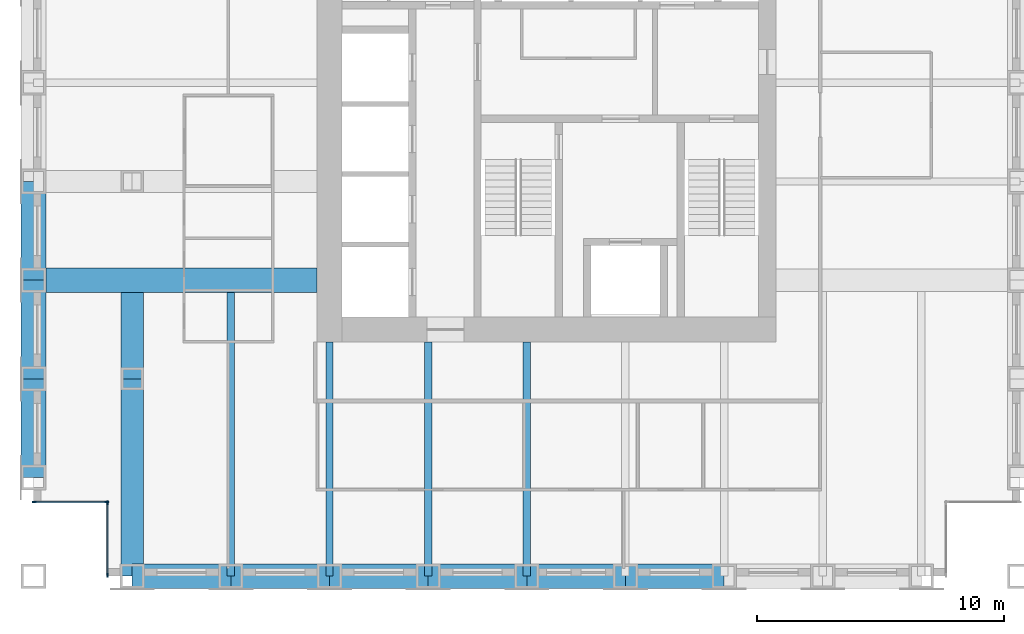
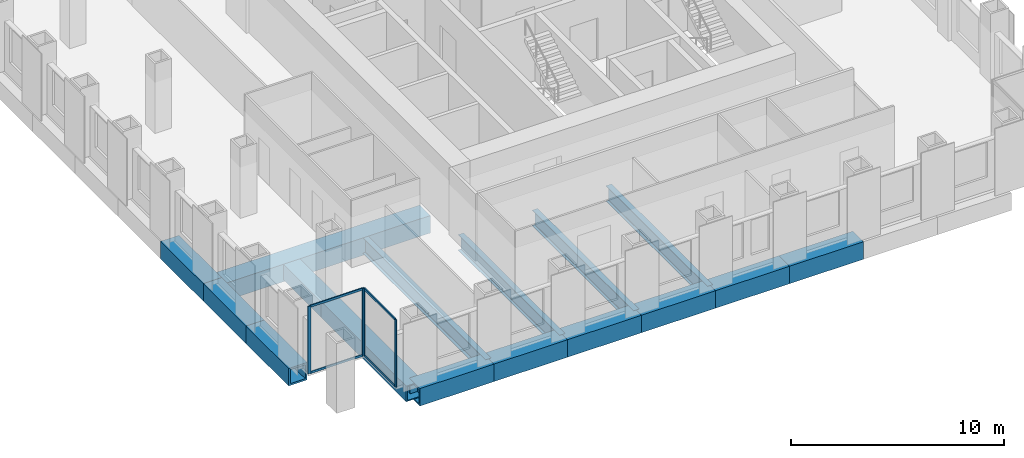
# One storey, part 2 of 13: 16 beams, 8 members, 2 elements without a shape of their own.
"""IFC4 building model written with IfcOpenShell, lengths in metres."""

from ifc_helpers import new_model, si_unit, direction, frame, origin, origin_2d, place, context, subcontext, project, spatial, rectangle, hollow_rectangle, i_section, extrude, material, material_profile, profile_set, type_object, element, aggregate, save


model = new_model("IFC4")

# Units and contexts
model_context = context("Model", 3, precision=1e-05, world=origin(), true_north=direction((0.0, 1.0)))
body_context = subcontext(model_context, "Body", "Model", "MODEL_VIEW")
ifc_project = project(units=[si_unit("LENGTHUNIT", "METRE"), si_unit("AREAUNIT", "SQUARE_METRE"), si_unit("VOLUMEUNIT", "CUBIC_METRE"), si_unit("PLANEANGLEUNIT", "RADIAN"), si_unit("MASSUNIT", "GRAM", prefix="KILO")], contexts=[model_context])

# Site, building, storey
site_placement = place(None, origin())
site = spatial("IfcSite", under=ifc_project, at=site_placement, CompositionType="ELEMENT")
building_placement = place(site_placement, origin())
building = spatial("IfcBuilding", under=site, at=building_placement, Name="Rimbunsela Tower", CompositionType="ELEMENT")
storey_placement = place(building_placement, frame((0.0, 0.0, 191.800048828125)))
storey = spatial("IfcBuildingStorey", under=building, at=storey_placement, Name="L46", CompositionType="ELEMENT", Elevation=191.800048828125)

# Beams
ifc_material_1 = material(Name="Steel BJ 55 (fy 410 MPa)", Category="steel")
ifc_material_profile_1 = material_profile(ifc_material_1, hollow_rectangle(XDim=1.0, YDim=1.0, WallThickness=0.10009765625, at=origin_2d()), Name="BOX 1000x1000x100")
ifc_profile_set_1 = profile_set([ifc_material_profile_1], Name="Steel BJ 55 (fy 410 MPa)")
beam_type_1 = type_object("IfcBeamType", Name="Beam BOX 1000x1000x100", PredefinedType="BEAM", material=ifc_profile_set_1)
for number, where, z_axis, x_axis, name in (
    (1, (6.0, 12.0, -0.650146484375), (0.0, 1.0, 0.0), (-1.0, 0.0, 0.0), "Beam B3 L46"),
    (2, (6.0, 16.0, -0.650146484375), (0.0, 1.0, 0.0), (-1.0, 0.0, 0.0), "Beam B3 L46"),
    (3, (6.0, 20.0, -0.650146484375), (0.0, 1.0, 0.0), (-1.0, 0.0, 0.0), "Beam B3 L46"),
):
    element("IfcBeam", number, at=place(storey_placement, frame(where, z_axis=z_axis, x_axis=x_axis)), inside=storey, type_object=beam_type_1, Name=name, PredefinedType="BEAM", context=body_context, shape_type="SweptSolid", body=[
        extrude(hollow_rectangle(XDim=1.0, YDim=1.0, WallThickness=0.10009765625, at=origin_2d()), origin(), (0.0, 0.0, 1.0), 4.0),
    ])
beam_1_placement = place(storey_placement, frame((6.0, 20.0, -0.650146484375), z_axis=(1.0, 0.0, 0.0), x_axis=(0.0, 1.0, 0.0)))
element("IfcBeam", 4, at=beam_1_placement, inside=storey, type_object=beam_type_1, Name="Beam B3 L46", PredefinedType="BEAM", context=body_context, shape_type="SweptSolid", body=[
    extrude(hollow_rectangle(XDim=1.0, YDim=1.0, WallThickness=0.10009765625, at=origin_2d()), origin(), (0.0, 0.0, 1.0), 11.5),
])
for number, where, z_axis, x_axis, name in (
    (5, (10.0, 8.0, -0.650146484375), (1.0, 0.0, 0.0), (0.0, 1.0, 0.0), "Beam B3 L46"),
    (6, (14.0, 8.0, -0.650146484375), (1.0, 0.0, 0.0), (0.0, 1.0, 0.0), "Beam B3 L46"),
    (7, (18.0, 8.0, -0.650146484375), (1.0, 0.0, 0.0), (0.0, 1.0, 0.0), "Beam B3 L46"),
    (8, (22.0, 8.0, -0.650146484375), (1.0, 0.0, 0.0), (0.0, 1.0, 0.0), "Beam B3 L46"),
    (9, (26.0, 8.0, -0.650146484375), (1.0, 0.0, 0.0), (0.0, 1.0, 0.0), "Beam B3 L46"),
    (10, (30.0, 8.0, -0.650146484375), (1.0, 0.0, 0.0), (0.0, 1.0, 0.0), "Beam B3 L46"),
):
    element("IfcBeam", number, at=place(storey_placement, frame(where, z_axis=z_axis, x_axis=x_axis)), inside=storey, type_object=beam_type_1, Name=name, PredefinedType="BEAM", context=body_context, shape_type="SweptSolid", body=[
        extrude(hollow_rectangle(XDim=1.0, YDim=1.0, WallThickness=0.10009765625, at=origin_2d()), origin(), (0.0, 0.0, 1.0), 4.0),
    ])
ifc_material_2 = material(Name="Steel BJ 55 (fy 410 MPa)", Category="steel")
ifc_material_profile_2 = material_profile(ifc_material_2, hollow_rectangle(XDim=0.89990234375, YDim=0.89990234375, WallThickness=0.06005859375, at=origin_2d()), Name="BOX 900x900x60")
ifc_profile_set_2 = profile_set([ifc_material_profile_2], Name="Steel BJ 55 (fy 410 MPa)")
beam_type_2 = type_object("IfcBeamType", Name="Beam BOX 900x900x60", PredefinedType="BEAM", material=ifc_profile_set_2)
beam_2_placement = place(storey_placement, frame((10.0, 8.0, -0.60009765625), z_axis=(0.0, 1.0, 0.0), x_axis=(-1.0, 0.0, 0.0)))
element("IfcBeam", 11, at=beam_2_placement, inside=storey, type_object=beam_type_2, Name="Beam B1 L46", PredefinedType="BEAM", context=body_context, shape_type="SweptSolid", body=[
    extrude(hollow_rectangle(XDim=0.89990234375, YDim=0.89990234375, WallThickness=0.06005859375, at=origin_2d()), origin(), (0.0, 0.0, 1.0), 8.0),
])
beam_3_placement = place(storey_placement, frame((10.0, 16.0, -0.60009765625), z_axis=(0.0, 1.0, 0.0), x_axis=(-1.0, 0.0, 0.0)))
element("IfcBeam", 12, at=beam_3_placement, inside=storey, type_object=beam_type_2, Name="Beam B1 L46", PredefinedType="BEAM", context=body_context, shape_type="SweptSolid", body=[
    extrude(hollow_rectangle(XDim=0.89990234375, YDim=0.89990234375, WallThickness=0.06005859375, at=origin_2d()), origin(), (0.0, 0.0, 1.0), 3.5),
])
ifc_material_3 = material(Name="Steel BJ 55 (fy 410 MPa)", Category="steel")
ifc_material_profile_3 = material_profile(ifc_material_3, i_section(OverallWidth=0.300048828125, OverallDepth=0.89990234375, WebThickness=0.01611328125, FlangeThickness=0.028076171875, FilletRadius=0.028076171875, at=origin_2d()), Name="H 900x300x16x28")
ifc_profile_set_3 = profile_set([ifc_material_profile_3], Name="Steel BJ 55 (fy 410 MPa)")
beam_type_3 = type_object("IfcBeamType", Name="Beam H 900x300x16x28", PredefinedType="BEAM", material=ifc_profile_set_3)
beam_4_placement = place(storey_placement, frame((14.0, 8.0, -0.60009765625), z_axis=(0.0, 1.0, 0.0), x_axis=(-1.0, 0.0, 0.0)))
element("IfcBeam", 13, at=beam_4_placement, inside=storey, type_object=beam_type_3, Name="Beam B2 L46", PredefinedType="BEAM", context=body_context, shape_type="SweptSolid", body=[
    extrude(i_section(OverallWidth=0.300048828125, OverallDepth=0.89990234375, WebThickness=0.01611328125, FlangeThickness=0.028076171875, FilletRadius=0.028076171875, at=origin_2d()), origin(), (0.0, 0.0, 1.0), 11.5),
])
for number, where, z_axis, x_axis, name in (
    (14, (18.0, 8.0, -0.60009765625), (0.0, 1.0, 0.0), (-1.0, 0.0, 0.0), "Beam B2 L46"),
    (15, (22.0, 8.0, -0.60009765625), (0.0, 1.0, 0.0), (-1.0, 0.0, 0.0), "Beam B2 L46"),
    (16, (26.0, 8.0, -0.60009765625), (0.0, 1.0, 0.0), (-1.0, 0.0, 0.0), "Beam B2 L46"),
):
    element("IfcBeam", number, at=place(storey_placement, frame(where, z_axis=z_axis, x_axis=x_axis)), inside=storey, type_object=beam_type_3, Name=name, PredefinedType="BEAM", context=body_context, shape_type="SweptSolid", body=[
        extrude(i_section(OverallWidth=0.300048828125, OverallDepth=0.89990234375, WebThickness=0.01611328125, FlangeThickness=0.028076171875, FilletRadius=0.028076171875, at=origin_2d()), origin(), (0.0, 0.0, 1.0), 9.5),
    ])

# Curtain wall, members
ifc_material_4 = material(Name="Aluminium curtain wall", Category="aluminium")
curtain_wall_type = type_object("IfcCurtainWallType", Name="Corner glazing", PredefinedType="USERDEFINED", material=ifc_material_4)
curtain_wall_1_placement = place(storey_placement, origin())
curtain_wall_1 = element("IfcCurtainWall", 17, at=curtain_wall_1_placement, inside=storey, type_object=curtain_wall_type, Name="Corner glazing L46", ObjectType="CORNER GLAZING", PredefinedType="USERDEFINED")
ifc_material_5 = material(Name="Aluminium mullion", Category="aluminium")
ifc_material_profile_4 = material_profile(ifc_material_5, rectangle(XDim=0.06005859375, YDim=0.159912109375, at=origin_2d()), Name="Mullion 60x160")
ifc_profile_set_4 = profile_set([ifc_material_profile_4], Name="Aluminium mullion")
member_type_1 = type_object("IfcMemberType", Name="Curtain wall mullion 60x160", PredefinedType="MULLION", material=ifc_profile_set_4)
member_1_placement = place(storey_placement, frame((6.030029296875, 11.0, 0.0), z_axis=(0.0, 0.0, 1.0), x_axis=(0.0, 1.0, 0.0)))
member_1 = element("IfcMember", 18, at=member_1_placement, type_object=member_type_1, Name="CW5 mullion 1", PredefinedType="MULLION", context=body_context, shape_type="SweptSolid", body=[
    extrude(rectangle(XDim=0.06005859375, YDim=0.159912109375, at=origin_2d()), origin(), (0.0, 0.0, 1.0), 3.849853515625),
])
member_2_placement = place(storey_placement, frame((8.969970703125, 11.0, 0.0), z_axis=(0.0, 0.0, 1.0), x_axis=(0.0, 1.0, 0.0)))
member_2 = element("IfcMember", 19, at=member_2_placement, type_object=member_type_1, Name="CW5 mullion 2", PredefinedType="MULLION", context=body_context, shape_type="SweptSolid", body=[
    extrude(rectangle(XDim=0.06005859375, YDim=0.159912109375, at=origin_2d()), origin(), (0.0, 0.0, 1.0), 3.849853515625),
])

curtain_wall_2_placement = place(storey_placement, origin())
curtain_wall_2 = element("IfcCurtainWall", 20, at=curtain_wall_2_placement, inside=storey, type_object=curtain_wall_type, Name="Corner glazing L46", ObjectType="CORNER GLAZING", PredefinedType="USERDEFINED")
member_3_placement = place(storey_placement, frame((9.0, 10.969970703125, 0.0), z_axis=(0.0, 0.0, 1.0), x_axis=(1.0, 0.0, 0.0)))
member_3 = element("IfcMember", 21, at=member_3_placement, type_object=member_type_1, Name="CW5 mullion 1", PredefinedType="MULLION", context=body_context, shape_type="SweptSolid", body=[
    extrude(rectangle(XDim=0.06005859375, YDim=0.159912109375, at=origin_2d()), origin(), (0.0, 0.0, 1.0), 3.849853515625),
])
member_4_placement = place(storey_placement, frame((9.0, 8.030029296875, 0.0), z_axis=(0.0, 0.0, 1.0), x_axis=(1.0, 0.0, 0.0)))
member_4 = element("IfcMember", 22, at=member_4_placement, type_object=member_type_1, Name="CW5 mullion 2", PredefinedType="MULLION", context=body_context, shape_type="SweptSolid", body=[
    extrude(rectangle(XDim=0.06005859375, YDim=0.159912109375, at=origin_2d()), origin(), (0.0, 0.0, 1.0), 3.849853515625),
])

# Member
ifc_material_6 = material(Name="Aluminium transom", Category="aluminium")
ifc_material_profile_5 = material_profile(ifc_material_6, rectangle(XDim=0.06005859375, YDim=0.1201171875, at=origin_2d()), Name="Transom 60x120")
ifc_profile_set_5 = profile_set([ifc_material_profile_5], Name="Aluminium transom")
member_type_2 = type_object("IfcMemberType", Name="Curtain wall transom 60x120", PredefinedType="USERDEFINED", material=ifc_profile_set_5)
member_5_placement = place(storey_placement, frame((6.06005859375, 11.0, 0.030029296875), z_axis=(1.0, 0.0, 0.0), x_axis=(0.0, 1.0, 0.0)))
member_5 = element("IfcMember", 23, at=member_5_placement, type_object=member_type_2, Name="CW5 transom 1.1", ObjectType="TRANSOM", PredefinedType="USERDEFINED", context=body_context, shape_type="SweptSolid", body=[
    extrude(rectangle(XDim=0.06005859375, YDim=0.1201171875, at=origin_2d()), origin(), (0.0, 0.0, 1.0), 2.8798828125),
])

member_6_placement = place(storey_placement, frame((6.06005859375, 11.0, 3.820068359375), z_axis=(1.0, 0.0, 0.0), x_axis=(0.0, 1.0, 0.0)))
member_6 = element("IfcMember", 24, at=member_6_placement, type_object=member_type_2, Name="CW5 transom 1.2", ObjectType="TRANSOM", PredefinedType="USERDEFINED", context=body_context, shape_type="SweptSolid", body=[
    extrude(rectangle(XDim=0.06005859375, YDim=0.1201171875, at=origin_2d()), origin(), (0.0, 0.0, 1.0), 2.8798828125),
])

aggregate(curtain_wall_1, [member_1, member_2, member_5, member_6])

member_7_placement = place(storey_placement, frame((9.0, 10.93994140625, 0.030029296875), z_axis=(0.0, -1.0, 0.0), x_axis=(1.0, 0.0, 0.0)))
member_7 = element("IfcMember", 25, at=member_7_placement, type_object=member_type_2, Name="CW5 transom 1.1", ObjectType="TRANSOM", PredefinedType="USERDEFINED", context=body_context, shape_type="SweptSolid", body=[
    extrude(rectangle(XDim=0.06005859375, YDim=0.1201171875, at=origin_2d()), origin(), (0.0, 0.0, 1.0), 2.8798828125),
])

member_8_placement = place(storey_placement, frame((9.0, 10.93994140625, 3.820068359375), z_axis=(0.0, -1.0, 0.0), x_axis=(1.0, 0.0, 0.0)))
member_8 = element("IfcMember", 26, at=member_8_placement, type_object=member_type_2, Name="CW5 transom 1.2", ObjectType="TRANSOM", PredefinedType="USERDEFINED", context=body_context, shape_type="SweptSolid", body=[
    extrude(rectangle(XDim=0.06005859375, YDim=0.1201171875, at=origin_2d()), origin(), (0.0, 0.0, 1.0), 2.8798828125),
])

aggregate(curtain_wall_2, [member_3, member_4, member_7, member_8])

save(model, "model.ifc")
